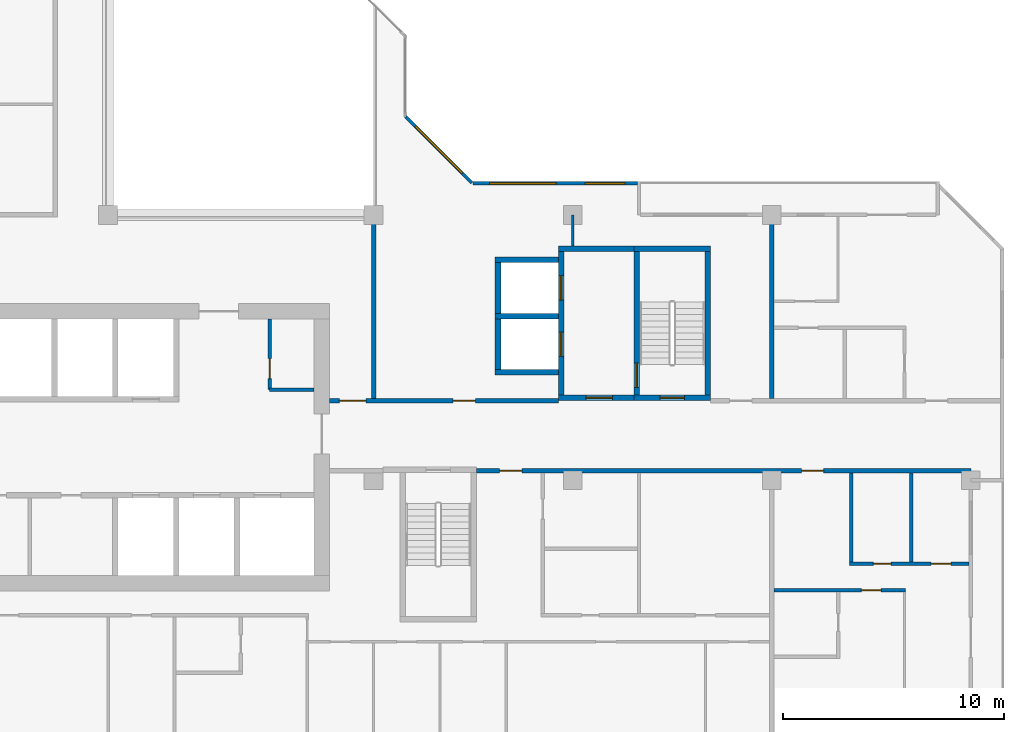
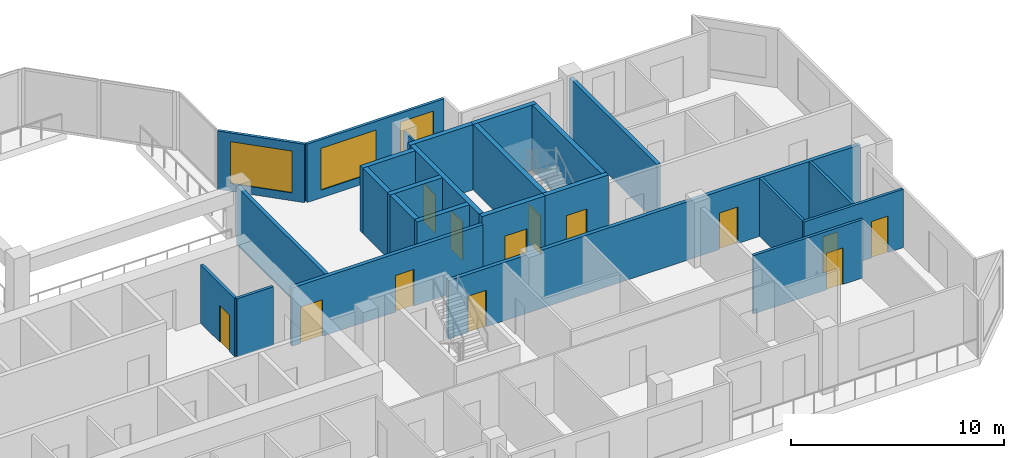
# One storey, part 7 of 14: 25 walls, 13 doors, 3 windows, 16 openings.
"""IFC4 building model written with IfcOpenShell, lengths in metres."""

from ifc_helpers import new_model, si_unit, direction, frame, frame_2d, origin, place, context, subcontext, project, spatial, rectangle, extrude, material, layer, layer_set, type_object, element, fill, save


model = new_model("IFC4")

# Units and contexts
model_context = context("Model", 3, precision=1e-05, world=origin(), true_north=direction((0.0, 1.0)))
body_context = subcontext(model_context, "Body", "Model", "MODEL_VIEW")
ifc_project = project(units=[si_unit("LENGTHUNIT", "METRE"), si_unit("AREAUNIT", "SQUARE_METRE"), si_unit("VOLUMEUNIT", "CUBIC_METRE"), si_unit("PLANEANGLEUNIT", "RADIAN"), si_unit("MASSUNIT", "GRAM", prefix="KILO")], contexts=[model_context])

# Site, building, storey
site_placement = place(None, origin())
site = spatial("IfcSite", under=ifc_project, at=site_placement, CompositionType="ELEMENT")
building_placement = place(site_placement, origin())
building = spatial("IfcBuilding", under=site, at=building_placement, Name="Chenar Terraces", CompositionType="ELEMENT")
storey_placement = place(building_placement, frame((0.0, 0.0, 237.89990234375)))
storey = spatial("IfcBuildingStorey", under=building, at=storey_placement, Name="L56", CompositionType="ELEMENT", Elevation=237.89990234375)

# Wall, opening, door
ifc_material_1 = material(Name="Gypsum board on steel studs", Category="steel")
ifc_layer_1 = layer(ifc_material_1, 0.14990234375)
ifc_layer_set_1 = layer_set([ifc_layer_1], Name="Gypsum board on steel studs")
wall_type_1 = type_object("IfcWallType", Name="Core partition 150 gypsum board", PredefinedType="PARTITIONING", material=ifc_layer_set_1)
wall_1_placement = place(storey_placement, frame((31.300048828125, 16.10009765625, 0.0), z_axis=(0.0, 0.0, 1.0), x_axis=(0.0, 1.0, 0.0)))
wall_1 = element("IfcWall", 1, at=wall_1_placement, inside=storey, type_object=wall_type_1, Name="Core partition CP1 vestibule room west wall", PredefinedType="PARTITIONING", context=body_context, shape_type="SweptSolid", body=[
    extrude(rectangle(XDim=3.199951171875, YDim=0.14990234375, at=frame_2d((1.60009765625, 0.0))), origin(), (0.0, 0.0, 1.0), 3.35009765625),
])
opening_1_placement = place(wall_1_placement, frame((0.5, 0.0, 0.0)))
opening_1 = element("IfcOpeningElement", 2, at=opening_1_placement, cuts=wall_1, Name="Opening DL56-C15", PredefinedType="OPENING", context=body_context, shape_type="SweptSolid", body=[
    extrude(rectangle(XDim=0.89990234375, YDim=2.10009765625, at=frame_2d((0.449951171875, 1.050048828125))), frame((0.0, 0.0849609375, 0.0), z_axis=(0.0, -1.0, 0.0), x_axis=(1.0, 0.0, 0.0)), (0.0, 0.0, 1.0), 0.169921875),
])
ifc_material_2 = material(Name="Steel-framed fire-resisting door leaf", Category="steel")
door_type_1 = type_object("IfcDoorType", Name="Riser fire door FD60 900 x 2100", OperationType="SINGLE_SWING_LEFT", PredefinedType="DOOR", material=ifc_material_2)
door_1_placement = place(opening_1_placement, frame((0.89990234375, 0.0, 0.0), z_axis=(0.0, 0.0, 1.0), x_axis=(-1.0, 0.0, 0.0)))
door_1 = element("IfcDoor", 3, at=door_1_placement, inside=storey, type_object=door_type_1, Name="Core room door DL56-C15", OperationType="SINGLE_SWING_RIGHT", OverallHeight=2.10009765625, OverallWidth=0.89990234375, PredefinedType="DOOR", context=body_context, shape_type="SweptSolid", body=[
    extrude(rectangle(XDim=0.89990234375, YDim=2.10009765625, at=frame_2d((0.449951171875, 1.050048828125))), frame((0.0, 0.02490234375, 0.0), z_axis=(0.0, -1.0, 0.0), x_axis=(1.0, 0.0, 0.0)), (0.0, 0.0, 1.0), 0.050048828125),
])
fill(opening_1, door_1)

# Wall
wall_2_placement = place(storey_placement, frame((31.300048828125, 16.10009765625, 0.0), z_axis=(0.0, 0.0, 1.0), x_axis=(1.0, 0.0, 0.0)))
element("IfcWall", 4, at=wall_2_placement, inside=storey, type_object=wall_type_1, Name="Core partition CP1 vestibule room south wall", PredefinedType="PARTITIONING", context=body_context, shape_type="SweptSolid", body=[
    extrude(rectangle(XDim=2.0, YDim=0.14990234375, at=frame_2d((1.0, 0.0))), origin(), (0.0, 0.0, 1.0), 3.35009765625),
])

# Wall, opening, door
ifc_material_3 = material(Name="Concrete C60/75", Category="concrete")
ifc_layer_2 = layer(ifc_material_3, 0.25)
ifc_layer_set_2 = layer_set([ifc_layer_2], Name="Concrete C60/75")
wall_type_2 = type_object("IfcWallType", Name="Core wall 250 Concrete C60/75", PredefinedType="SHEAR", material=ifc_layer_set_2)
wall_3_placement = place(storey_placement, frame((47.77490234375, 15.72509765625, 0.0), z_axis=(0.0, 0.0, 1.0), x_axis=(1.0, 0.0, 0.0)))
wall_3 = element("IfcWall", 5, at=wall_3_placement, inside=storey, type_object=wall_type_2, Name="Core wall ST3_S L56", PredefinedType="SHEAR", context=body_context, shape_type="SweptSolid", body=[
    extrude(rectangle(XDim=3.4501953125, YDim=0.25, at=frame_2d((1.72509765625, 0.0))), origin(), (0.0, 0.0, 1.0), 3.75),
])
opening_2_placement = place(wall_3_placement, frame((1.175048828125, 0.0, 0.0)))
opening_2 = element("IfcOpeningElement", 6, at=opening_2_placement, cuts=wall_3, Name="Opening DL56-C8", PredefinedType="OPENING", context=body_context, shape_type="SweptSolid", body=[
    extrude(rectangle(XDim=1.10009765625, YDim=2.199951171875, at=frame_2d((0.550048828125, 1.10009765625))), frame((0.0, 0.135009765625, 0.0), z_axis=(0.0, -1.0, 0.0), x_axis=(1.0, 0.0, 0.0)), (0.0, 0.0, 1.0), 0.27001953125),
])
ifc_material_4 = material(Name="Steel-framed fire-resisting door leaf", Category="steel")
door_type_2 = type_object("IfcDoorType", Name="Stair fire door FD60 1100 x 2200", OperationType="SINGLE_SWING_LEFT", PredefinedType="DOOR", material=ifc_material_4)
door_2_placement = place(opening_2_placement, frame((1.10009765625, 0.0, 0.0), z_axis=(0.0, 0.0, 1.0), x_axis=(-1.0, 0.0, 0.0)))
door_2 = element("IfcDoor", 7, at=door_2_placement, inside=storey, type_object=door_type_2, Name="Stair door DL56-C8", OperationType="SINGLE_SWING_LEFT", OverallHeight=2.199951171875, OverallWidth=1.10009765625, PredefinedType="DOOR", context=body_context, shape_type="SweptSolid", body=[
    extrude(rectangle(XDim=1.10009765625, YDim=2.199951171875, at=frame_2d((0.550048828125, 1.10009765625))), frame((0.0, 0.02490234375, 0.0), z_axis=(0.0, -1.0, 0.0), x_axis=(1.0, 0.0, 0.0)), (0.0, 0.0, 1.0), 0.050048828125),
])
fill(opening_2, door_2)

# Wall
wall_4_placement = place(storey_placement, frame((47.77490234375, 22.47509765625, 0.0), z_axis=(0.0, 0.0, 1.0), x_axis=(1.0, 0.0, 0.0)))
element("IfcWall", 8, at=wall_4_placement, inside=storey, type_object=wall_type_2, Name="Core wall ST3_N L56", PredefinedType="SHEAR", context=body_context, shape_type="SweptSolid", body=[
    extrude(rectangle(XDim=3.4501953125, YDim=0.25, at=frame_2d((1.72509765625, 0.0))), origin(), (0.0, 0.0, 1.0), 3.75),
])

# Wall, opening, door
wall_5_placement = place(storey_placement, frame((47.89990234375, 15.85009765625, 0.0), z_axis=(0.0, 0.0, 1.0), x_axis=(0.0, 1.0, 0.0)))
wall_5 = element("IfcWall", 9, at=wall_5_placement, inside=storey, type_object=wall_type_2, Name="Core wall ST3_W L56", PredefinedType="SHEAR", context=body_context, shape_type="SweptSolid", body=[
    extrude(rectangle(XDim=6.5, YDim=0.25, at=frame_2d((3.25, 0.0))), origin(), (0.0, 0.0, 1.0), 3.75),
])
opening_3_placement = place(wall_5_placement, frame((0.35009765625, 0.0, 0.0)))
opening_3 = element("IfcOpeningElement", 10, at=opening_3_placement, cuts=wall_5, Name="Opening DL56-C11", PredefinedType="OPENING", context=body_context, shape_type="SweptSolid", body=[
    extrude(rectangle(XDim=1.10009765625, YDim=2.199951171875, at=frame_2d((0.550048828125, 1.10009765625))), frame((0.0, 0.135009765625, 0.0), z_axis=(0.0, -1.0, 0.0), x_axis=(1.0, 0.0, 0.0)), (0.0, 0.0, 1.0), 0.27001953125),
])
door_3_placement = place(opening_3_placement, frame((1.10009765625, 0.0, 0.0), z_axis=(0.0, 0.0, 1.0), x_axis=(-1.0, 0.0, 0.0)))
door_3 = element("IfcDoor", 11, at=door_3_placement, inside=storey, type_object=door_type_2, Name="Stair door DL56-C11", OperationType="SINGLE_SWING_RIGHT", OverallHeight=2.199951171875, OverallWidth=1.10009765625, PredefinedType="DOOR", context=body_context, shape_type="SweptSolid", body=[
    extrude(rectangle(XDim=1.10009765625, YDim=2.199951171875, at=frame_2d((0.550048828125, 1.10009765625))), frame((0.0, 0.02490234375, 0.0), z_axis=(0.0, -1.0, 0.0), x_axis=(1.0, 0.0, 0.0)), (0.0, 0.0, 1.0), 0.050048828125),
])
fill(opening_3, door_3)

# Wall
wall_6_placement = place(storey_placement, frame((51.10009765625, 15.85009765625, 0.0), z_axis=(0.0, 0.0, 1.0), x_axis=(0.0, 1.0, 0.0)))
element("IfcWall", 12, at=wall_6_placement, inside=storey, type_object=wall_type_2, Name="Core wall ST3_E L56", PredefinedType="SHEAR", context=body_context, shape_type="SweptSolid", body=[
    extrude(rectangle(XDim=6.5, YDim=0.25, at=frame_2d((3.25, 0.0))), origin(), (0.0, 0.0, 1.0), 3.75),
])

# Wall, opening, door
wall_7_placement = place(storey_placement, frame((44.35009765625, 15.72509765625, 0.0), z_axis=(0.0, 0.0, 1.0), x_axis=(1.0, 0.0, 0.0)))
wall_7 = element("IfcWall", 13, at=wall_7_placement, inside=storey, type_object=wall_type_2, Name="Core wall F3_LS L56", PredefinedType="SHEAR", context=body_context, shape_type="SweptSolid", body=[
    extrude(rectangle(XDim=3.4248046875, YDim=0.25, at=frame_2d((1.71240234375, 0.0))), origin(), (0.0, 0.0, 1.0), 3.75),
])
opening_4_placement = place(wall_7_placement, frame((1.25, 0.0, 0.0)))
opening_4 = element("IfcOpeningElement", 14, at=opening_4_placement, cuts=wall_7, Name="Opening DL56-C10", PredefinedType="OPENING", context=body_context, shape_type="SweptSolid", body=[
    extrude(rectangle(XDim=1.199951171875, YDim=2.199951171875, at=frame_2d((0.60009765625, 1.10009765625))), frame((0.0, 0.135009765625, 0.0), z_axis=(0.0, -1.0, 0.0), x_axis=(1.0, 0.0, 0.0)), (0.0, 0.0, 1.0), 0.27001953125),
])
ifc_material_5 = material(Name="Steel-framed fire-resisting door leaf", Category="steel")
door_type_3 = type_object("IfcDoorType", Name="Lobby fire door FD60 1200 x 2200", OperationType="SINGLE_SWING_LEFT", PredefinedType="DOOR", material=ifc_material_5)
door_4_placement = place(opening_4_placement, origin())
door_4 = element("IfcDoor", 15, at=door_4_placement, inside=storey, type_object=door_type_3, Name="Core door DL56-C10", OperationType="SINGLE_SWING_RIGHT", OverallHeight=2.199951171875, OverallWidth=1.199951171875, PredefinedType="DOOR", context=body_context, shape_type="SweptSolid", body=[
    extrude(rectangle(XDim=1.199951171875, YDim=2.199951171875, at=frame_2d((0.60009765625, 1.10009765625))), frame((0.0, 0.02490234375, 0.0), z_axis=(0.0, -1.0, 0.0), x_axis=(1.0, 0.0, 0.0)), (0.0, 0.0, 1.0), 0.050048828125),
])
fill(opening_4, door_4)

# Wall
wall_8_placement = place(storey_placement, frame((44.35009765625, 22.47509765625, 0.0), z_axis=(0.0, 0.0, 1.0), x_axis=(1.0, 0.0, 0.0)))
element("IfcWall", 16, at=wall_8_placement, inside=storey, type_object=wall_type_2, Name="Core wall F3_LN L56", PredefinedType="SHEAR", context=body_context, shape_type="SweptSolid", body=[
    extrude(rectangle(XDim=3.4248046875, YDim=0.25, at=frame_2d((1.71240234375, 0.0))), origin(), (0.0, 0.0, 1.0), 3.75),
])

# Wall, openings, doors
wall_9_placement = place(storey_placement, frame((44.47509765625, 15.85009765625, 0.0), z_axis=(0.0, 0.0, 1.0), x_axis=(0.0, 1.0, 0.0)))
wall_9 = element("IfcWall", 17, at=wall_9_placement, inside=storey, type_object=wall_type_2, Name="Core wall F3_LW L56", PredefinedType="SHEAR", context=body_context, shape_type="SweptSolid", body=[
    extrude(rectangle(XDim=6.5, YDim=0.25, at=frame_2d((3.25, 0.0))), origin(), (0.0, 0.0, 1.0), 3.75),
])
opening_5_placement = place(wall_9_placement, frame((1.75, 0.0, 0.0)))
opening_5 = element("IfcOpeningElement", 18, at=opening_5_placement, cuts=wall_9, Name="Opening DL56-LD8", PredefinedType="OPENING", context=body_context, shape_type="SweptSolid", body=[
    extrude(rectangle(XDim=1.10009765625, YDim=2.199951171875, at=frame_2d((0.550048828125, 1.10009765625))), frame((0.0, 0.135009765625, 0.0), z_axis=(0.0, -1.0, 0.0), x_axis=(1.0, 0.0, 0.0)), (0.0, 0.0, 1.0), 0.27001953125),
])
opening_6_placement = place(wall_9_placement, frame((4.300048828125, 0.0, 0.0)))
opening_6 = element("IfcOpeningElement", 19, at=opening_6_placement, cuts=wall_9, Name="Opening DL56-LD9", PredefinedType="OPENING", context=body_context, shape_type="SweptSolid", body=[
    extrude(rectangle(XDim=1.10009765625, YDim=2.199951171875, at=frame_2d((0.550048828125, 1.10009765625))), frame((0.0, 0.135009765625, 0.0), z_axis=(0.0, -1.0, 0.0), x_axis=(1.0, 0.0, 0.0)), (0.0, 0.0, 1.0), 0.27001953125),
])
ifc_material_6 = material(Name="Stainless steel", Category="steel")
door_type_4 = type_object("IfcDoorType", Name="Lift landing door 1100 x 2200 sliding", OperationType="DOUBLE_DOOR_SLIDING", PredefinedType="DOOR", material=ifc_material_6)
door_5_placement = place(opening_5_placement, origin())
door_5 = element("IfcDoor", 20, at=door_5_placement, inside=storey, type_object=door_type_4, Name="Landing door F3", OperationType="DOUBLE_DOOR_SLIDING", OverallHeight=2.199951171875, OverallWidth=1.10009765625, PredefinedType="DOOR", context=body_context, shape_type="SweptSolid", body=[
    extrude(rectangle(XDim=1.10009765625, YDim=2.199951171875, at=frame_2d((0.550048828125, 1.10009765625))), frame((0.0, 0.02490234375, 0.0), z_axis=(0.0, -1.0, 0.0), x_axis=(1.0, 0.0, 0.0)), (0.0, 0.0, 1.0), 0.050048828125),
])
fill(opening_5, door_5)
door_6_placement = place(opening_6_placement, origin())
door_6 = element("IfcDoor", 21, at=door_6_placement, inside=storey, type_object=door_type_4, Name="Landing door F4", OperationType="DOUBLE_DOOR_SLIDING", OverallHeight=2.199951171875, OverallWidth=1.10009765625, PredefinedType="DOOR", context=body_context, shape_type="SweptSolid", body=[
    extrude(rectangle(XDim=1.10009765625, YDim=2.199951171875, at=frame_2d((0.550048828125, 1.10009765625))), frame((0.0, 0.02490234375, 0.0), z_axis=(0.0, -1.0, 0.0), x_axis=(1.0, 0.0, 0.0)), (0.0, 0.0, 1.0), 0.050048828125),
])
fill(opening_6, door_6)

# Walls
for number, where, z_axis, x_axis, name in (
    (22, (41.5, 16.875, 0.0), (0.0, 0.0, 1.0), (1.0, 0.0, 0.0), "Core wall F3_SS L56"),
    (23, (41.5, 19.425048828125, 0.0), (0.0, 0.0, 1.0), (1.0, 0.0, 0.0), "Core wall F3_SM L56"),
    (24, (41.5, 21.97509765625, 0.0), (0.0, 0.0, 1.0), (1.0, 0.0, 0.0), "Core wall F4_SN L56"),
):
    element("IfcWall", number, at=place(storey_placement, frame(where, z_axis=z_axis, x_axis=x_axis)), inside=storey, type_object=wall_type_2, Name=name, PredefinedType="SHEAR", context=body_context, shape_type="SweptSolid", body=[
        extrude(rectangle(XDim=2.85009765625, YDim=0.25, at=frame_2d((1.425048828125, 0.0))), origin(), (0.0, 0.0, 1.0), 3.75),
    ])
for number, where, z_axis, x_axis, name in (
    (25, (41.625, 17.0, 0.0), (0.0, 0.0, 1.0), (0.0, 1.0, 0.0), "Core wall F3_SW L56"),
    (26, (41.625, 19.550048828125, 0.0), (0.0, 0.0, 1.0), (0.0, 1.0, 0.0), "Core wall F4_SW L56"),
):
    element("IfcWall", number, at=place(storey_placement, frame(where, z_axis=z_axis, x_axis=x_axis)), inside=storey, type_object=wall_type_2, Name=name, PredefinedType="SHEAR", context=body_context, shape_type="SweptSolid", body=[
        extrude(rectangle(XDim=2.300048828125, YDim=0.25, at=frame_2d((1.14990234375, 0.0))), origin(), (0.0, 0.0, 1.0), 3.75),
    ])

# Wall, openings, doors
ifc_material_7 = material(Name="Gypsum board on steel studs with fire boards", Category="steel")
ifc_layer_3 = layer(ifc_material_7, 0.199951171875)
ifc_layer_set_3 = layer_set([ifc_layer_3], Name="Gypsum board on steel studs with fire boards")
wall_type_3 = type_object("IfcWallType", Name="Corridor wall 200", PredefinedType="PARTITIONING", material=ifc_layer_set_3)
wall_10_placement = place(storey_placement, frame((34.0, 15.60009765625, 0.0), z_axis=(0.0, 0.0, 1.0), x_axis=(1.0, 0.0, 0.0)))
wall_10 = element("IfcWall", 27, at=wall_10_placement, inside=storey, type_object=wall_type_3, Name="Partition L56-066", PredefinedType="PARTITIONING", context=body_context, shape_type="SweptSolid", body=[
    extrude(rectangle(XDim=10.35009765625, YDim=0.199951171875, at=frame_2d((5.175048828125, 0.0))), origin(), (0.0, 0.0, 1.0), 3.35009765625),
])
opening_7_placement = place(wall_10_placement, frame((5.60009765625, 0.0, 0.0)))
opening_7 = element("IfcOpeningElement", 28, at=opening_7_placement, cuts=wall_10, Name="Opening DL56-3", PredefinedType="OPENING", context=body_context, shape_type="SweptSolid", body=[
    extrude(rectangle(XDim=1.0, YDim=2.10009765625, at=frame_2d((0.5, 1.050048828125))), frame((0.0, 0.10986328125, 0.0), z_axis=(0.0, -1.0, 0.0), x_axis=(1.0, 0.0, 0.0)), (0.0, 0.0, 1.0), 0.219970703125),
])
opening_8_placement = place(wall_10_placement, frame((0.449951171875, 0.0, 0.0)))
opening_8 = element("IfcOpeningElement", 29, at=opening_8_placement, cuts=wall_10, Name="Opening DL56-36", PredefinedType="OPENING", context=body_context, shape_type="SweptSolid", body=[
    extrude(rectangle(XDim=1.199951171875, YDim=2.10009765625, at=frame_2d((0.60009765625, 1.050048828125))), frame((0.0, 0.10986328125, 0.0), z_axis=(0.0, -1.0, 0.0), x_axis=(1.0, 0.0, 0.0)), (0.0, 0.0, 1.0), 0.219970703125),
])
ifc_material_8 = material(Name="Steel-framed fire-resisting door leaf", Category="steel")
door_type_5 = type_object("IfcDoorType", Name="Fire door FD60 1000 x 2100", OperationType="SINGLE_SWING_LEFT", PredefinedType="DOOR", material=ifc_material_8)
door_7_placement = place(opening_7_placement, origin())
door_7 = element("IfcDoor", 30, at=door_7_placement, inside=storey, type_object=door_type_5, Name="Door DL56-3", OperationType="SINGLE_SWING_RIGHT", OverallHeight=2.10009765625, OverallWidth=1.0, PredefinedType="DOOR", context=body_context, shape_type="SweptSolid", body=[
    extrude(rectangle(XDim=1.0, YDim=2.10009765625, at=frame_2d((0.5, 1.050048828125))), frame((0.0, 0.02490234375, 0.0), z_axis=(0.0, -1.0, 0.0), x_axis=(1.0, 0.0, 0.0)), (0.0, 0.0, 1.0), 0.050048828125),
])
fill(opening_7, door_7)
ifc_material_9 = material(Name="Steel-framed fire-resisting door leaf", Category="steel")
door_type_6 = type_object("IfcDoorType", Name="Fire door FD60 1200 x 2100", OperationType="SINGLE_SWING_LEFT", PredefinedType="DOOR", material=ifc_material_9)
door_8_placement = place(opening_8_placement, origin())
door_8 = element("IfcDoor", 31, at=door_8_placement, inside=storey, type_object=door_type_6, Name="Door DL56-36", OperationType="SINGLE_SWING_RIGHT", OverallHeight=2.10009765625, OverallWidth=1.199951171875, PredefinedType="DOOR", context=body_context, shape_type="SweptSolid", body=[
    extrude(rectangle(XDim=1.199951171875, YDim=2.10009765625, at=frame_2d((0.60009765625, 1.050048828125))), frame((0.0, 0.02490234375, 0.0), z_axis=(0.0, -1.0, 0.0), x_axis=(1.0, 0.0, 0.0)), (0.0, 0.0, 1.0), 0.050048828125),
])
fill(opening_8, door_8)

# Wall
wall_11_placement = place(storey_placement, frame((36.0, 15.699951171875, 0.0), z_axis=(0.0, 0.0, 1.0), x_axis=(0.0, 1.0, 0.0)))
element("IfcWall", 32, at=wall_11_placement, inside=storey, type_object=wall_type_3, Name="Partition L56-068", PredefinedType="PARTITIONING", context=body_context, shape_type="SweptSolid", body=[
    extrude(rectangle(XDim=8.300048828125, YDim=0.199951171875, at=frame_2d((4.14990234375, 0.0))), origin(), (0.0, 0.0, 1.0), 3.35009765625),
])

# Wall, openings, doors
wall_12_placement = place(storey_placement, frame((40.64990234375, 12.425048828125, 0.0), z_axis=(0.0, 0.0, 1.0), x_axis=(1.0, 0.0, 0.0)))
wall_12 = element("IfcWall", 33, at=wall_12_placement, inside=storey, type_object=wall_type_3, Name="Partition L56-070", PredefinedType="PARTITIONING", context=body_context, shape_type="SweptSolid", body=[
    extrude(rectangle(XDim=22.35009765625, YDim=0.199951171875, at=frame_2d((11.175048828125, 0.0))), origin(), (0.0, 0.0, 1.0), 3.35009765625),
])
opening_9_placement = place(wall_12_placement, frame((14.699951171875, 0.0, 0.0)))
opening_9 = element("IfcOpeningElement", 34, at=opening_9_placement, cuts=wall_12, Name="Opening DL56-12", PredefinedType="OPENING", context=body_context, shape_type="SweptSolid", body=[
    extrude(rectangle(XDim=1.0, YDim=2.10009765625, at=frame_2d((0.5, 1.050048828125))), frame((0.0, 0.10986328125, 0.0), z_axis=(0.0, -1.0, 0.0), x_axis=(1.0, 0.0, 0.0)), (0.0, 0.0, 1.0), 0.219970703125),
])
opening_10_placement = place(wall_12_placement, frame((1.050048828125, 0.0, 0.0)))
opening_10 = element("IfcOpeningElement", 35, at=opening_10_placement, cuts=wall_12, Name="Opening DL56-53", PredefinedType="OPENING", context=body_context, shape_type="SweptSolid", body=[
    extrude(rectangle(XDim=1.0, YDim=2.10009765625, at=frame_2d((0.5, 1.050048828125))), frame((0.0, 0.10986328125, 0.0), z_axis=(0.0, -1.0, 0.0), x_axis=(1.0, 0.0, 0.0)), (0.0, 0.0, 1.0), 0.219970703125),
])
ifc_material_10 = material(Name="Steel-framed fire-resisting door leaf", Category="steel")
door_type_7 = type_object("IfcDoorType", Name="Fire door FD30S 1000 x 2100", OperationType="SINGLE_SWING_LEFT", PredefinedType="DOOR", material=ifc_material_10)
door_9_placement = place(opening_9_placement, frame((1.0, 0.0, 0.0), z_axis=(0.0, 0.0, 1.0), x_axis=(-1.0, 0.0, 0.0)))
door_9 = element("IfcDoor", 36, at=door_9_placement, inside=storey, type_object=door_type_7, Name="Door DL56-12", OperationType="SINGLE_SWING_RIGHT", OverallHeight=2.10009765625, OverallWidth=1.0, PredefinedType="DOOR", context=body_context, shape_type="SweptSolid", body=[
    extrude(rectangle(XDim=1.0, YDim=2.10009765625, at=frame_2d((0.5, 1.050048828125))), frame((0.0, 0.02490234375, 0.0), z_axis=(0.0, -1.0, 0.0), x_axis=(1.0, 0.0, 0.0)), (0.0, 0.0, 1.0), 0.050048828125),
])
fill(opening_9, door_9)
door_10_placement = place(opening_10_placement, origin())
door_10 = element("IfcDoor", 37, at=door_10_placement, inside=storey, type_object=door_type_7, Name="Door DL56-53", OperationType="SINGLE_SWING_LEFT", OverallHeight=2.10009765625, OverallWidth=1.0, PredefinedType="DOOR", context=body_context, shape_type="SweptSolid", body=[
    extrude(rectangle(XDim=1.0, YDim=2.10009765625, at=frame_2d((0.5, 1.050048828125))), frame((0.0, 0.02490234375, 0.0), z_axis=(0.0, -1.0, 0.0), x_axis=(1.0, 0.0, 0.0)), (0.0, 0.0, 1.0), 0.050048828125),
])
fill(opening_10, door_10)

# Wall, openings, windows
ifc_material_11 = material(Name="Aluminium framed glazing", Category="aluminium")
ifc_layer_4 = layer(ifc_material_11, 0.14990234375)
ifc_layer_set_4 = layer_set([ifc_layer_4], Name="Aluminium framed glazing")
wall_type_4 = type_object("IfcWallType", Name="Glazed flush facade wall 150", PredefinedType="SOLIDWALL", material=ifc_layer_set_4)
wall_13_placement = place(storey_placement, frame((47.925048828125, 25.425048828125, 0.0), z_axis=(0.0, 0.0, 1.0), x_axis=(-1.0, 0.0, 0.0)))
wall_13 = element("IfcWall", 38, at=wall_13_placement, inside=storey, type_object=wall_type_4, Name="Glazed flush facade wall", PredefinedType="SOLIDWALL", context=body_context, shape_type="SweptSolid", body=[
    extrude(rectangle(XDim=7.425048828125, YDim=0.14990234375, at=frame_2d((3.71240234375, 0.0))), origin(), (0.0, 0.0, 1.0), 3.35009765625),
])
opening_11_placement = place(wall_13_placement, frame((0.5625, 0.0, 0.449951171875)))
opening_11 = element("IfcOpeningElement", 39, at=opening_11_placement, cuts=wall_13, Name="Opening W180x240", PredefinedType="OPENING", context=body_context, shape_type="SweptSolid", body=[
    extrude(rectangle(XDim=1.800048828125, YDim=2.39990234375, at=frame_2d((0.89990234375, 1.199951171875))), frame((0.0, 0.0849609375, 0.0), z_axis=(0.0, -1.0, 0.0), x_axis=(1.0, 0.0, 0.0)), (0.0, 0.0, 1.0), 0.169921875),
])
opening_12_placement = place(wall_13_placement, frame((3.675048828125, 0.0, 0.449951171875)))
opening_12 = element("IfcOpeningElement", 40, at=opening_12_placement, cuts=wall_13, Name="Opening W300x240", PredefinedType="OPENING", context=body_context, shape_type="SweptSolid", body=[
    extrude(rectangle(XDim=3.0, YDim=2.39990234375, at=frame_2d((1.5, 1.199951171875))), frame((0.0, 0.0849609375, 0.0), z_axis=(0.0, -1.0, 0.0), x_axis=(1.0, 0.0, 0.0)), (0.0, 0.0, 1.0), 0.169921875),
])
ifc_material_12 = material(Name="Low emissivity double glazing, aluminium frame", Category="aluminium")
window_type_1 = type_object("IfcWindowType", Name="Fixed light 1800 x 2400", PartitioningType="SINGLE_PANEL", PredefinedType="WINDOW", material=ifc_material_12)
window_1_placement = place(opening_11_placement, origin())
window_1 = element("IfcWindow", 41, at=window_1_placement, inside=storey, type_object=window_type_1, Name="Window", OverallHeight=2.39990234375, OverallWidth=1.800048828125, PartitioningType="SINGLE_PANEL", PredefinedType="WINDOW", context=body_context, shape_type="SweptSolid", body=[
    extrude(rectangle(XDim=1.800048828125, YDim=2.39990234375, at=frame_2d((0.89990234375, 1.199951171875))), frame((0.0, 0.030029296875, 0.0), z_axis=(0.0, -1.0, 0.0), x_axis=(1.0, 0.0, 0.0)), (0.0, 0.0, 1.0), 0.06005859375),
])
fill(opening_11, window_1)
ifc_material_13 = material(Name="Low emissivity double glazing, aluminium frame", Category="aluminium")
window_type_2 = type_object("IfcWindowType", Name="Fixed light 3000 x 2400", PartitioningType="SINGLE_PANEL", PredefinedType="WINDOW", material=ifc_material_13)
window_2_placement = place(opening_12_placement, origin())
window_2 = element("IfcWindow", 42, at=window_2_placement, inside=storey, type_object=window_type_2, Name="Window", OverallHeight=2.39990234375, OverallWidth=3.0, PartitioningType="SINGLE_PANEL", PredefinedType="WINDOW", context=body_context, shape_type="SweptSolid", body=[
    extrude(rectangle(XDim=3.0, YDim=2.39990234375, at=frame_2d((1.5, 1.199951171875))), frame((0.0, 0.030029296875, 0.0), z_axis=(0.0, -1.0, 0.0), x_axis=(1.0, 0.0, 0.0)), (0.0, 0.0, 1.0), 0.06005859375),
])
fill(opening_12, window_2)

# Wall
ifc_material_14 = material(Name="Gypsum board on steel studs", Category="steel")
ifc_layer_5 = layer(ifc_material_14, 0.10009765625)
ifc_layer_set_5 = layer_set([ifc_layer_5], Name="Gypsum board on steel studs")
wall_type_5 = type_object("IfcWallType", Name="Gypsum partition 100", PredefinedType="PARTITIONING", material=ifc_layer_set_5)
wall_14_placement = place(storey_placement, frame((45.0, 22.60009765625, 0.0), z_axis=(0.0, 0.0, 1.0), x_axis=(0.0, 1.0, 0.0)))
element("IfcWall", 43, at=wall_14_placement, inside=storey, type_object=wall_type_5, Name="Partition L56-075", PredefinedType="PARTITIONING", context=body_context, shape_type="SweptSolid", body=[
    extrude(rectangle(XDim=1.39990234375, YDim=0.10009765625, at=frame_2d((0.699951171875, 0.0))), origin(), (0.0, 0.0, 1.0), 3.35009765625),
])

# Wall, opening, window
ifc_material_15 = material(Name="Terracotta cladding on insulated backing", Category="masonry")
ifc_layer_6 = layer(ifc_material_15, 0.14990234375)
ifc_layer_set_6 = layer_set([ifc_layer_6], Name="Terracotta cladding on insulated backing")
wall_type_6 = type_object("IfcWallType", Name="Terracotta rainscreen wall 150", PredefinedType="SOLIDWALL", material=ifc_layer_set_6)
wall_15_placement = place(storey_placement, frame((40.447021484375, 25.447021484375, 0.0), z_axis=(0.0, 0.0, 1.0), x_axis=(-0.707106781187, 0.707106781187, 0.0)))
wall_15 = element("IfcWall", 44, at=wall_15_placement, inside=storey, type_object=wall_type_6, Name="Terracotta rainscreen wall", PredefinedType="SOLIDWALL", context=body_context, shape_type="SweptSolid", body=[
    extrude(rectangle(XDim=4.24267578125, YDim=0.14990234375, at=frame_2d((2.121337890625, 0.0))), origin(), (0.0, 0.0, 1.0), 3.35009765625),
])
opening_13_placement = place(wall_15_placement, frame((0.621337890625, 0.0, 0.449951171875)))
opening_13 = element("IfcOpeningElement", 45, at=opening_13_placement, cuts=wall_15, Name="Opening W300x240", PredefinedType="OPENING", context=body_context, shape_type="SweptSolid", body=[
    extrude(rectangle(XDim=3.0, YDim=2.39990234375, at=frame_2d((1.5, 1.199951171875))), frame((0.0, 0.0849609375, 0.0), z_axis=(0.0, -1.0, 0.0), x_axis=(1.0, 0.0, 0.0)), (0.0, 0.0, 1.0), 0.169921875),
])
window_3_placement = place(opening_13_placement, origin())
window_3 = element("IfcWindow", 46, at=window_3_placement, inside=storey, type_object=window_type_2, Name="Window", OverallHeight=2.39990234375, OverallWidth=3.0, PartitioningType="SINGLE_PANEL", PredefinedType="WINDOW", context=body_context, shape_type="SweptSolid", body=[
    extrude(rectangle(XDim=3.0, YDim=2.39990234375, at=frame_2d((1.5, 1.199951171875))), frame((0.0, 0.030029296875, 0.0), z_axis=(0.0, -1.0, 0.0), x_axis=(1.0, 0.0, 0.0)), (0.0, 0.0, 1.0), 0.06005859375),
])
fill(opening_13, window_3)

# Wall
ifc_material_16 = material(Name="Twin gypsum board on steel studs with mineral wool", Category="steel")
ifc_layer_7 = layer(ifc_material_16, 0.199951171875)
ifc_layer_set_7 = layer_set([ifc_layer_7], Name="Twin gypsum board on steel studs with mineral wool")
wall_type_7 = type_object("IfcWallType", Name="Unit demising wall 200", PredefinedType="PARTITIONING", material=ifc_layer_set_7)
wall_16_placement = place(storey_placement, frame((54.0, 15.699951171875, 0.0), z_axis=(0.0, 0.0, 1.0), x_axis=(0.0, 1.0, 0.0)))
element("IfcWall", 47, at=wall_16_placement, inside=storey, type_object=wall_type_7, Name="Partition L56-080", PredefinedType="PARTITIONING", context=body_context, shape_type="SweptSolid", body=[
    extrude(rectangle(XDim=8.22607421875, YDim=0.199951171875, at=frame_2d((4.113037109375, 0.0))), origin(), (0.0, 0.0, 1.0), 3.35009765625),
])

# Wall, opening, door
ifc_material_17 = material(Name="Moisture-resistant gypsum board on steel studs", Category="steel")
ifc_layer_8 = layer(ifc_material_17, 0.14990234375)
ifc_layer_set_8 = layer_set([ifc_layer_8], Name="Moisture-resistant gypsum board on steel studs")
wall_type_8 = type_object("IfcWallType", Name="Wet-room partition 150", PredefinedType="PARTITIONING", material=ifc_layer_set_8)
wall_17_placement = place(storey_placement, frame((54.10009765625, 7.02490234375, 0.0), z_axis=(0.0, 0.0, 1.0), x_axis=(1.0, 0.0, 0.0)))
wall_17 = element("IfcWall", 48, at=wall_17_placement, inside=storey, type_object=wall_type_8, Name="Partition L56-082", PredefinedType="PARTITIONING", context=body_context, shape_type="SweptSolid", body=[
    extrude(rectangle(XDim=5.949951171875, YDim=0.14990234375, at=frame_2d((2.97509765625, 0.0))), origin(), (0.0, 0.0, 1.0), 3.35009765625),
])
opening_14_placement = place(wall_17_placement, frame((3.949951171875, 0.0, 0.0)))
opening_14 = element("IfcOpeningElement", 49, at=opening_14_placement, cuts=wall_17, Name="Opening DL56-9", PredefinedType="OPENING", context=body_context, shape_type="SweptSolid", body=[
    extrude(rectangle(XDim=0.89990234375, YDim=2.10009765625, at=frame_2d((0.449951171875, 1.050048828125))), frame((0.0, 0.0849609375, 0.0), z_axis=(0.0, -1.0, 0.0), x_axis=(1.0, 0.0, 0.0)), (0.0, 0.0, 1.0), 0.169921875),
])
ifc_material_18 = material(Name="Veneered timber door leaf", Category="wood")
door_type_8 = type_object("IfcDoorType", Name="Door 900 x 2100", OperationType="SINGLE_SWING_LEFT", PredefinedType="DOOR", material=ifc_material_18)
door_11_placement = place(opening_14_placement, frame((0.89990234375, 0.0, 0.0), z_axis=(0.0, 0.0, 1.0), x_axis=(-1.0, 0.0, 0.0)))
door_11 = element("IfcDoor", 50, at=door_11_placement, inside=storey, type_object=door_type_8, Name="Door DL56-9", OperationType="SINGLE_SWING_LEFT", OverallHeight=2.10009765625, OverallWidth=0.89990234375, PredefinedType="DOOR", context=body_context, shape_type="SweptSolid", body=[
    extrude(rectangle(XDim=0.89990234375, YDim=2.10009765625, at=frame_2d((0.449951171875, 1.050048828125))), frame((0.0, 0.02490234375, 0.0), z_axis=(0.0, -1.0, 0.0), x_axis=(1.0, 0.0, 0.0)), (0.0, 0.0, 1.0), 0.050048828125),
])
fill(opening_14, door_11)

# Wall, openings, doors
wall_18_placement = place(storey_placement, frame((57.52490234375, 8.22509765625, 0.0), z_axis=(0.0, 0.0, 1.0), x_axis=(1.0, 0.0, 0.0)))
wall_18 = element("IfcWall", 51, at=wall_18_placement, inside=storey, type_object=wall_type_8, Name="Partition L56-088", PredefinedType="PARTITIONING", context=body_context, shape_type="SweptSolid", body=[
    extrude(rectangle(XDim=5.401123046875, YDim=0.14990234375, at=frame_2d((2.70068359375, 0.0))), origin(), (0.0, 0.0, 1.0), 3.35009765625),
])
opening_15_placement = place(wall_18_placement, frame((1.074951171875, 0.0, 0.0)))
opening_15 = element("IfcOpeningElement", 52, at=opening_15_placement, cuts=wall_18, Name="Opening DL56-8", PredefinedType="OPENING", context=body_context, shape_type="SweptSolid", body=[
    extrude(rectangle(XDim=0.800048828125, YDim=2.10009765625, at=frame_2d((0.39990234375, 1.050048828125))), frame((0.0, 0.0849609375, 0.0), z_axis=(0.0, -1.0, 0.0), x_axis=(1.0, 0.0, 0.0)), (0.0, 0.0, 1.0), 0.169921875),
])
opening_16_placement = place(wall_18_placement, frame((3.675048828125, 0.0, 0.0)))
opening_16 = element("IfcOpeningElement", 53, at=opening_16_placement, cuts=wall_18, Name="Opening DL56-11", PredefinedType="OPENING", context=body_context, shape_type="SweptSolid", body=[
    extrude(rectangle(XDim=0.89990234375, YDim=2.10009765625, at=frame_2d((0.449951171875, 1.050048828125))), frame((0.0, 0.0849609375, 0.0), z_axis=(0.0, -1.0, 0.0), x_axis=(1.0, 0.0, 0.0)), (0.0, 0.0, 1.0), 0.169921875),
])
ifc_material_19 = material(Name="Veneered timber door leaf", Category="wood")
door_type_9 = type_object("IfcDoorType", Name="Door 800 x 2100", OperationType="SINGLE_SWING_LEFT", PredefinedType="DOOR", material=ifc_material_19)
door_12_placement = place(opening_15_placement, origin())
door_12 = element("IfcDoor", 54, at=door_12_placement, inside=storey, type_object=door_type_9, Name="Door DL56-8", OperationType="SINGLE_SWING_RIGHT", OverallHeight=2.10009765625, OverallWidth=0.800048828125, PredefinedType="DOOR", context=body_context, shape_type="SweptSolid", body=[
    extrude(rectangle(XDim=0.800048828125, YDim=2.10009765625, at=frame_2d((0.39990234375, 1.050048828125))), frame((0.0, 0.02490234375, 0.0), z_axis=(0.0, -1.0, 0.0), x_axis=(1.0, 0.0, 0.0)), (0.0, 0.0, 1.0), 0.050048828125),
])
fill(opening_15, door_12)
door_13_placement = place(opening_16_placement, origin())
door_13 = element("IfcDoor", 55, at=door_13_placement, inside=storey, type_object=door_type_8, Name="Door DL56-11", OperationType="SINGLE_SWING_LEFT", OverallHeight=2.10009765625, OverallWidth=0.89990234375, PredefinedType="DOOR", context=body_context, shape_type="SweptSolid", body=[
    extrude(rectangle(XDim=0.89990234375, YDim=2.10009765625, at=frame_2d((0.449951171875, 1.050048828125))), frame((0.0, 0.02490234375, 0.0), z_axis=(0.0, -1.0, 0.0), x_axis=(1.0, 0.0, 0.0)), (0.0, 0.0, 1.0), 0.050048828125),
])
fill(opening_16, door_13)

# Walls
for number, where, z_axis, x_axis, name in (
    (56, (57.60009765625, 8.300048828125, 0.0), (0.0, 0.0, 1.0), (0.0, 1.0, 0.0), "Partition L56-089"),
    (57, (60.300048828125, 8.300048828125, 0.0), (0.0, 0.0, 1.0), (0.0, 1.0, 0.0), "Partition L56-092"),
):
    element("IfcWall", number, at=place(storey_placement, frame(where, z_axis=z_axis, x_axis=x_axis)), inside=storey, type_object=wall_type_8, Name=name, PredefinedType="PARTITIONING", context=body_context, shape_type="SweptSolid", body=[
        extrude(rectangle(XDim=4.02490234375, YDim=0.14990234375, at=frame_2d((2.012451171875, 0.0))), origin(), (0.0, 0.0, 1.0), 3.35009765625),
    ])

save(model, "model.ifc")
